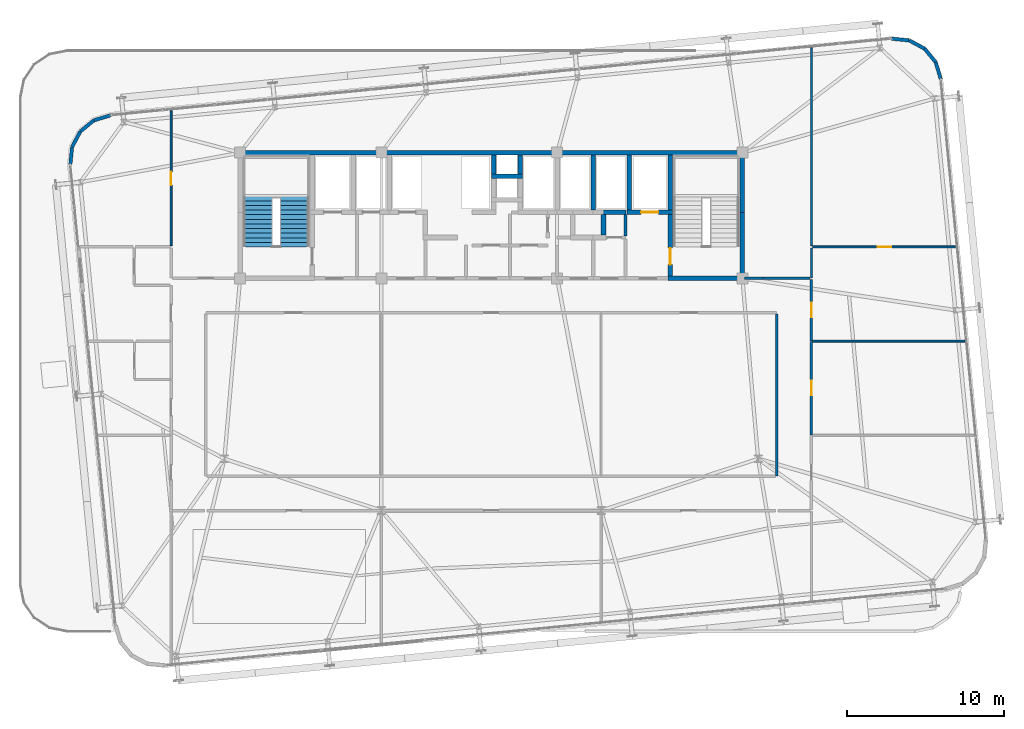
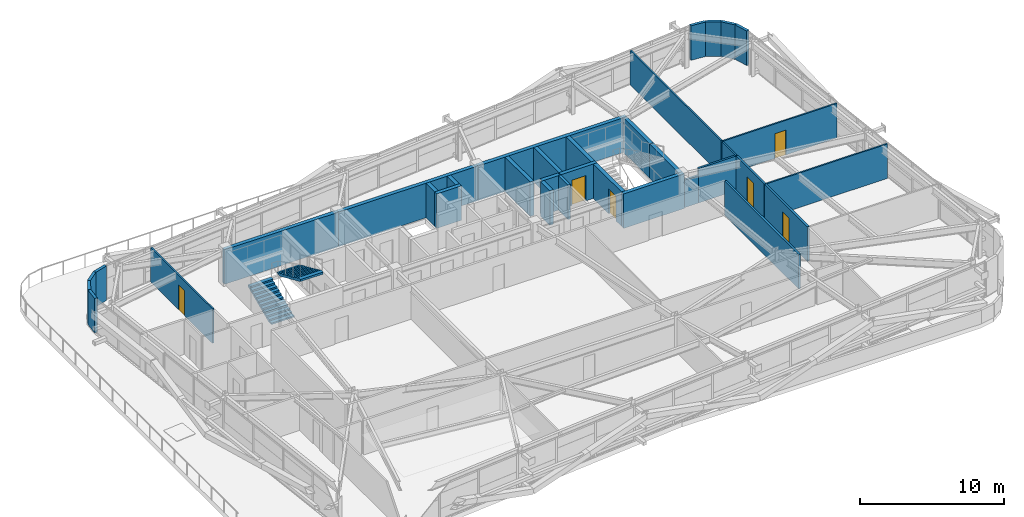
# One storey, part 47 of 51: 35 walls, 6 doors, 2 stair flights, 6 openings, 1 element without a shape of its own.
"""IFC4 building model written with IfcOpenShell, lengths in metres."""

from ifc_helpers import new_model, si_unit, direction, frame, frame_2d, origin, place, context, subcontext, project, spatial, polyline, rectangle, outline, extrude, source, transform, mapped, material, layer, layer_set, type_object, element, fill, aggregate, save


model = new_model("IFC4")

# Units and contexts
model_context = context("Model", 3, precision=1e-05, world=origin(), true_north=direction((0.0, 1.0)))
body_context = subcontext(model_context, "Body", "Model", "MODEL_VIEW")
ifc_project = project(units=[si_unit("LENGTHUNIT", "METRE"), si_unit("AREAUNIT", "SQUARE_METRE"), si_unit("VOLUMEUNIT", "CUBIC_METRE"), si_unit("PLANEANGLEUNIT", "RADIAN"), si_unit("MASSUNIT", "GRAM", prefix="KILO")], contexts=[model_context])

# Site, building, storey
site_placement = place(None, origin())
site = spatial("IfcSite", under=ifc_project, at=site_placement, CompositionType="ELEMENT")
building_placement = place(site_placement, origin())
building = spatial("IfcBuilding", under=site, at=building_placement, Name="Taldren Reach Tower", CompositionType="ELEMENT")
storey_placement = place(building_placement, frame((0.0, 0.0, 65.10009765625)))
storey = spatial("IfcBuildingStorey", under=building, at=storey_placement, Name="L19", CompositionType="ELEMENT", Elevation=65.10009765625)

# Walls
ifc_material_1 = material(Name="Pale Champagne Anodised Aluminium Cladding", Category="aluminium")
ifc_layer_1 = layer(ifc_material_1, 0.04, Name="Pale Champagne Anodised Aluminium Cladding", Category="aluminium")
ifc_material_2 = material(Name="Mineral Wool Acoustic Insulation", Category="insulation")
ifc_layer_2 = layer(ifc_material_2, 0.06, Name="Mineral Wool Acoustic Insulation", Category="insulation")
ifc_material_3 = material(Name="Steel Gr 350 (C350L0)", Category="steel")
ifc_layer_3 = layer(ifc_material_3, 0.12, Name="Steel Gr 350 (C350L0)", Category="steel")
ifc_layer_set_1 = layer_set([ifc_layer_1, ifc_layer_2, ifc_layer_3], Name="Pale Champagne Aluminium Cladding and Steel Gr 350 Stud Framing")
wall_type_1 = type_object("IfcWallType", Name="EW-CRN-220", PredefinedType="SOLIDWALL", material=ifc_layer_set_1)
shared_shape_1 = source(origin(), body_context, "Body", "SweptSolid", [
    extrude(rectangle(XDim=1.115966796875, YDim=0.219970703125, at=frame_2d((0.55810546875, 0.0))), origin(), (0.0, 0.0, 1.0), 2.929931640625),
])
for number, where, z_axis, x_axis, name in (
    (1, (63.6376953125, 36.6982421875, 0.0), (0.0, 0.0, 1.0), (-0.289855603468, 0.957070388811, 0.0), "Rounded-corner pale-metal facade wall L19-NE1"),
    (2, (62.606689453125, 38.629150390625, 0.0), (0.0, 0.0, 1.0), (-0.881655534635, 0.471893545461, 0.0), "Rounded-corner pale-metal facade wall L19-NE3"),
    (3, (61.622802734375, 39.15576171875, 0.0), (0.0, 0.0, 1.0), (-0.995142755671, 0.09844234778, 0.0), "Rounded-corner pale-metal facade wall L19-NE4"),
    (4, (10.7509765625, 34.386474609375, 0.0), (0.0, 0.0, 1.0), (-0.957070388811, -0.289855603468, 0.0), "Rounded-corner pale-metal facade wall L19-NW1"),
):
    element("IfcWall", number, at=place(storey_placement, frame(where, z_axis=z_axis, x_axis=x_axis)), inside=storey, type_object=wall_type_1, Name=name, PredefinedType="SOLIDWALL", context=body_context, shape_type="MappedRepresentation", body=[
        mapped(shared_shape_1, transform((0.0, 0.0, 0.0), scale=1.0)),
    ])
shared_shape_2 = source(origin(), body_context, "Body", "SweptSolid", [
    extrude(rectangle(XDim=1.11572265625, YDim=0.219970703125, at=frame_2d((0.557861328125, 0.0))), origin(), (0.0, 0.0, 1.0), 2.929931640625),
])
for number, where, z_axis, x_axis, name in (
    (5, (63.314208984375, 37.766357421875, 0.0), (0.0, 0.0, 1.0), (-0.634095287989, 0.773254916409, 0.0), "Rounded-corner pale-metal facade wall L19-NE2"),
    (6, (9.682861328125, 34.06298828125, 0.0), (0.0, 0.0, 1.0), (-0.773254916409, -0.634095287989, 0.0), "Rounded-corner pale-metal facade wall L19-NW2"),
    (7, (8.29345703125, 32.371337890625, 0.0), (0.0, 0.0, 1.0), (-0.098463783145, -0.99514063499, 0.0), "Rounded-corner pale-metal facade wall L19-NW4"),
):
    element("IfcWall", number, at=place(storey_placement, frame(where, z_axis=z_axis, x_axis=x_axis)), inside=storey, type_object=wall_type_1, Name=name, PredefinedType="SOLIDWALL", context=body_context, shape_type="MappedRepresentation", body=[
        mapped(shared_shape_2, transform((0.0, 0.0, 0.0), scale=1.0)),
    ])
shared_shape_3 = source(origin(), body_context, "Body", "SweptSolid", [
    extrude(rectangle(XDim=1.1162109375, YDim=0.219970703125, at=frame_2d((0.55810546875, 0.0))), origin(), (0.0, 0.0, 1.0), 2.929931640625),
])
wall_1_placement = place(storey_placement, frame((8.820068359375, 33.35546875, 0.0), z_axis=(0.0, 0.0, 1.0), x_axis=(-0.471802540493, -0.881704237704, 0.0)))
element("IfcWall", 8, at=wall_1_placement, inside=storey, type_object=wall_type_1, Name="Rounded-corner pale-metal facade wall L19-NW3", PredefinedType="SOLIDWALL", context=body_context, shape_type="MappedRepresentation", body=[
    mapped(shared_shape_3, transform((0.0, 0.0, 0.0), scale=1.0)),
])
ifc_material_4 = material(Name="Fire-Rated Acoustic Plasterboard Stud Wall", Category="gypsum")
ifc_layer_4 = layer(ifc_material_4, 0.159912109375)
ifc_layer_set_2 = layer_set([ifc_layer_4], Name="Fire-Rated Acoustic Plasterboard Stud Wall")
wall_type_2 = type_object("IfcWallType", Name="IW-FIRE-160", PredefinedType="PARTITIONING", material=ifc_layer_set_2)
shared_shape_4 = source(origin(), body_context, "Body", "SweptSolid", [
    extrude(rectangle(XDim=10.2998046875, YDim=0.159912109375, at=frame_2d((5.14990234375, 0.0))), origin(), (0.0, 0.0, 1.0), 2.929931640625),
])
wall_2_placement = place(storey_placement, frame((53.199951171875, 11.420166015625, 0.0), z_axis=(0.0, 0.0, 1.0), x_axis=(0.0, 1.0, 0.0)))
element("IfcWall", 9, at=wall_2_placement, inside=storey, type_object=wall_type_2, Name="Interior Partition Wall W-INT-L19-064", PredefinedType="PARTITIONING", context=body_context, shape_type="MappedRepresentation", body=[
    mapped(shared_shape_4, transform((0.0, 0.0, 0.0), scale=1.0)),
])

# Wall, opening, door
shared_shape_5 = source(origin(), body_context, "Body", "SweptSolid", [
    extrude(rectangle(XDim=5.95947265625, YDim=0.159912109375, at=frame_2d((2.979736328125, 0.0))), origin(), (0.0, 0.0, 1.0), 2.929931640625),
])
wall_3_placement = place(storey_placement, frame((55.39990234375, 19.979736328125, 0.0), z_axis=(0.0, 0.0, 1.0), x_axis=(0.0, -1.0, 0.0)))
wall_3 = element("IfcWall", 10, at=wall_3_placement, inside=storey, type_object=wall_type_2, Name="Interior Partition Wall W-INT-L19-072", PredefinedType="PARTITIONING", context=body_context, shape_type="MappedRepresentation", body=[
    mapped(shared_shape_5, transform((0.0, 0.0, 0.0), scale=1.0)),
])
shared_shape_6 = source(origin(), body_context, "Body", "SweptSolid", [
    extrude(rectangle(XDim=0.919921875, YDim=2.10009765625, at=frame_2d((0.4599609375, 1.050048828125))), frame((0.0, 0.08984375, 0.0), z_axis=(0.0, -1.0, 0.0), x_axis=(1.0, 0.0, 0.0)), (0.0, 0.0, 1.0), 0.179931640625),
])
opening_1_placement = place(wall_3_placement, frame((2.519775390625, 0.0, 0.0)))
opening_1 = element("IfcOpeningElement", 11, at=opening_1_placement, cuts=wall_3, Name="Opening DI-092", PredefinedType="OPENING", context=body_context, shape_type="MappedRepresentation", body=[
    mapped(shared_shape_6, transform((0.0, 0.0, 0.0), scale=1.0)),
])
ifc_material_5 = material(Name="Solid-Core Timber Suite Door", Category="wood")
door_type_1 = type_object("IfcDoorType", Name="ID-INT-092", OperationType="NOTDEFINED", PredefinedType="DOOR", material=ifc_material_5)
shared_shape_7 = source(origin(), body_context, "Body", "SweptSolid", [
    extrude(rectangle(XDim=0.919921875, YDim=2.10009765625, at=frame_2d((0.4599609375, 1.050048828125))), frame((0.0, 0.02490234375, 0.0), z_axis=(0.0, -1.0, 0.0), x_axis=(1.0, 0.0, 0.0)), (0.0, 0.0, 1.0), 0.050048828125),
])
door_1_placement = place(opening_1_placement, origin())
door_1 = element("IfcDoor", 12, at=door_1_placement, inside=storey, type_object=door_type_1, Name="Interior Door DR-L19-021", OperationType="SINGLE_SWING_RIGHT", OverallHeight=2.10009765625, OverallWidth=0.919921875, PredefinedType="DOOR", context=body_context, shape_type="MappedRepresentation", body=[
    mapped(shared_shape_7, transform((0.0, 0.0, 0.0), scale=1.0)),
])
fill(opening_1, door_1)

# Walls
ifc_material_6 = material(Name="Concrete S65 (65 MPa)", Category="concrete")
ifc_layer_5 = layer(ifc_material_6, 0.300048828125)
ifc_layer_set_3 = layer_set([ifc_layer_5], Name="Concrete S65 (65 MPa)")
wall_type_3 = type_object("IfcWallType", Name="IW-CORE-300", PredefinedType="SHEAR", material=ifc_layer_set_3)
shared_shape_8 = source(origin(), body_context, "Body", "SweptSolid", [
    extrude(rectangle(XDim=9.14990234375, YDim=0.300048828125, at=frame_2d((4.574951171875, 0.0))), origin(), (0.0, 0.0, 1.0), 2.929931640625),
])
wall_4_placement = place(storey_placement, frame((18.85009765625, 32.0, 0.0), z_axis=(0.0, 0.0, 1.0), x_axis=(1.0, 0.0, 0.0)))
element("IfcWall", 13, at=wall_4_placement, inside=storey, type_object=wall_type_3, Name="Rear Core Shear Wall W-CORE-L19-NORTH1", PredefinedType="SHEAR", context=body_context, shape_type="MappedRepresentation", body=[
    mapped(shared_shape_8, transform((0.0, 0.0, 0.0), scale=1.0)),
])
shared_shape_9 = source(origin(), body_context, "Body", "SweptSolid", [
    extrude(rectangle(XDim=11.199951171875, YDim=0.300048828125, at=frame_2d((5.60009765625, 0.0))), origin(), (0.0, 0.0, 1.0), 2.929931640625),
])
wall_5_placement = place(storey_placement, frame((28.0, 32.0, 0.0), z_axis=(0.0, 0.0, 1.0), x_axis=(1.0, 0.0, 0.0)))
element("IfcWall", 14, at=wall_5_placement, inside=storey, type_object=wall_type_3, Name="Rear Core Shear Wall W-CORE-L19-NORTH2", PredefinedType="SHEAR", context=body_context, shape_type="MappedRepresentation", body=[
    mapped(shared_shape_9, transform((0.0, 0.0, 0.0), scale=1.0)),
])
shared_shape_10 = source(origin(), body_context, "Body", "SweptSolid", [
    extrude(rectangle(XDim=11.949951171875, YDim=0.300048828125, at=frame_2d((5.97509765625, 0.0))), origin(), (0.0, 0.0, 1.0), 2.929931640625),
])
wall_6_placement = place(storey_placement, frame((39.199951171875, 32.0, 0.0), z_axis=(0.0, 0.0, 1.0), x_axis=(1.0, 0.0, 0.0)))
element("IfcWall", 15, at=wall_6_placement, inside=storey, type_object=wall_type_3, Name="Rear Core Shear Wall W-CORE-L19-NORTH3", PredefinedType="SHEAR", context=body_context, shape_type="MappedRepresentation", body=[
    mapped(shared_shape_10, transform((0.0, 0.0, 0.0), scale=1.0)),
])
shared_shape_11 = source(origin(), body_context, "Body", "SweptSolid", [
    extrude(rectangle(XDim=4.050048828125, YDim=0.300048828125, at=frame_2d((2.02490234375, 0.0))), origin(), (0.0, 0.0, 1.0), 2.929931640625),
])
wall_7_placement = place(storey_placement, frame((51.0, 24.14990234375, 0.0), z_axis=(0.0, 0.0, 1.0), x_axis=(0.0, 1.0, 0.0)))
element("IfcWall", 16, at=wall_7_placement, inside=storey, type_object=wall_type_3, Name="Rear Core Shear Wall W-CORE-L19-EAST1", PredefinedType="SHEAR", context=body_context, shape_type="MappedRepresentation", body=[
    mapped(shared_shape_11, transform((0.0, 0.0, 0.0), scale=1.0)),
])
shared_shape_12 = source(origin(), body_context, "Body", "SweptSolid", [
    extrude(rectangle(XDim=3.650146484375, YDim=0.300048828125, at=frame_2d((1.8251953125, 0.0))), origin(), (0.0, 0.0, 1.0), 2.929931640625),
])
wall_8_placement = place(storey_placement, frame((51.0, 28.199951171875, 0.0), z_axis=(0.0, 0.0, 1.0), x_axis=(0.0, 1.0, 0.0)))
element("IfcWall", 17, at=wall_8_placement, inside=storey, type_object=wall_type_3, Name="Rear Core Shear Wall W-CORE-L19-EAST2", PredefinedType="SHEAR", context=body_context, shape_type="MappedRepresentation", body=[
    mapped(shared_shape_12, transform((0.0, 0.0, 0.0), scale=1.0)),
])
shared_shape_13 = source(origin(), body_context, "Body", "SweptSolid", [
    extrude(rectangle(XDim=3.5, YDim=0.300048828125, at=frame_2d((1.75, 0.0))), origin(), (0.0, 0.0, 1.0), 2.929931640625),
])
for number, where, z_axis, x_axis, name in (
    (18, (46.39990234375, 31.85009765625, 0.0), (0.0, 0.0, 1.0), (0.0, -1.0, 0.0), "Rear Core Shear Wall W-INT-L19-008"),
    (19, (43.800048828125, 31.85009765625, 0.0), (0.0, 0.0, 1.0), (0.0, -1.0, 0.0), "Rear Core Shear Wall W-INT-L19-012"),
    (20, (41.5, 28.35009765625, 0.0), (0.0, 0.0, 1.0), (0.0, 1.0, 0.0), "Rear Core Shear Wall W-INT-L19-041"),
):
    element("IfcWall", number, at=place(storey_placement, frame(where, z_axis=z_axis, x_axis=x_axis)), inside=storey, type_object=wall_type_3, Name=name, PredefinedType="SHEAR", context=body_context, shape_type="MappedRepresentation", body=[
        mapped(shared_shape_13, transform((0.0, 0.0, 0.0), scale=1.0)),
    ])

# Wall, opening, door
shared_shape_14 = source(origin(), body_context, "Body", "SweptSolid", [
    extrude(rectangle(XDim=3.900146484375, YDim=0.300048828125, at=frame_2d((1.9501953125, 0.0))), origin(), (0.0, 0.0, 1.0), 2.929931640625),
])
wall_9_placement = place(storey_placement, frame((46.39990234375, 28.050048828125, 0.0), z_axis=(0.0, 0.0, 1.0), x_axis=(0.0, -1.0, 0.0)))
wall_9 = element("IfcWall", 21, at=wall_9_placement, inside=storey, type_object=wall_type_3, Name="Rear Core Shear Wall W-INT-L19-009", PredefinedType="SHEAR", context=body_context, shape_type="MappedRepresentation", body=[
    mapped(shared_shape_14, transform((0.0, 0.0, 0.0), scale=1.0)),
])
shared_shape_15 = source(origin(), body_context, "Body", "SweptSolid", [
    extrude(rectangle(XDim=1.050048828125, YDim=2.10009765625, at=frame_2d((0.52490234375, 1.050048828125))), frame((0.0, 0.16015625, 0.0), z_axis=(0.0, -1.0, 0.0), x_axis=(1.0, 0.0, 0.0)), (0.0, 0.0, 1.0), 0.320068359375),
])
opening_2_placement = place(wall_9_placement, frame((2.125, 0.0, 0.0)))
opening_2 = element("IfcOpeningElement", 22, at=opening_2_placement, cuts=wall_9, Name="Opening DF-105", PredefinedType="OPENING", context=body_context, shape_type="MappedRepresentation", body=[
    mapped(shared_shape_15, transform((0.0, 0.0, 0.0), scale=1.0)),
])
ifc_material_7 = material(Name="Fire-Rated Care and Stair Exit Door")
door_type_2 = type_object("IfcDoorType", Name="ID-FIRE-105", OperationType="NOTDEFINED", PredefinedType="DOOR", material=ifc_material_7)
shared_shape_16 = source(origin(), body_context, "Body", "SweptSolid", [
    extrude(rectangle(XDim=1.050048828125, YDim=2.10009765625, at=frame_2d((0.52490234375, 1.050048828125))), frame((0.0, 0.02490234375, 0.0), z_axis=(0.0, -1.0, 0.0), x_axis=(1.0, 0.0, 0.0)), (0.0, 0.0, 1.0), 0.050048828125),
])
door_2_placement = place(opening_2_placement, origin())
door_2 = element("IfcDoor", 23, at=door_2_placement, inside=storey, type_object=door_type_2, Name="Fire Exit Stair Door DR-L19-003", OperationType="SINGLE_SWING_RIGHT", OverallHeight=2.10009765625, OverallWidth=1.050048828125, PredefinedType="DOOR", context=body_context, shape_type="MappedRepresentation", body=[
    mapped(shared_shape_16, transform((0.0, 0.0, 0.0), scale=1.0)),
])
fill(opening_2, door_2)

# Wall
shared_shape_17 = source(origin(), body_context, "Body", "SweptSolid", [
    extrude(rectangle(XDim=4.89990234375, YDim=0.300048828125, at=frame_2d((2.449951171875, 0.0))), origin(), (0.0, 0.0, 1.0), 2.929931640625),
])
wall_10_placement = place(storey_placement, frame((46.25, 24.0, 0.0), z_axis=(0.0, 0.0, 1.0), x_axis=(1.0, 0.0, 0.0)))
element("IfcWall", 24, at=wall_10_placement, inside=storey, type_object=wall_type_3, Name="Rear Core Shear Wall W-INT-L19-010", PredefinedType="SHEAR", context=body_context, shape_type="MappedRepresentation", body=[
    mapped(shared_shape_17, transform((0.0, 0.0, 0.0), scale=1.0)),
])

# Wall, opening, door
shared_shape_18 = source(origin(), body_context, "Body", "SweptSolid", [
    extrude(rectangle(XDim=2.900146484375, YDim=0.300048828125, at=frame_2d((1.4501953125, 0.0))), origin(), (0.0, 0.0, 1.0), 2.929931640625),
])
wall_11_placement = place(storey_placement, frame((43.64990234375, 28.199951171875, 0.0), z_axis=(0.0, 0.0, 1.0), x_axis=(1.0, 0.0, 0.0)))
wall_11 = element("IfcWall", 25, at=wall_11_placement, inside=storey, type_object=wall_type_3, Name="Rear Core Shear Wall W-INT-L19-011", PredefinedType="SHEAR", context=body_context, shape_type="MappedRepresentation", body=[
    mapped(shared_shape_18, transform((0.0, 0.0, 0.0), scale=1.0)),
])
shared_shape_19 = source(origin(), body_context, "Body", "SweptSolid", [
    extrude(rectangle(XDim=1.10009765625, YDim=2.14990234375, at=frame_2d((0.550048828125, 1.074951171875))), frame((0.0, 0.16015625, 0.0), z_axis=(0.0, -1.0, 0.0), x_axis=(1.0, 0.0, 0.0)), (0.0, 0.0, 1.0), 0.320068359375),
])
opening_3_placement = place(wall_11_placement, frame((0.89990234375, 0.0, 0.0)))
opening_3 = element("IfcOpeningElement", 26, at=opening_3_placement, cuts=wall_11, Name="Opening LD-FL2", PredefinedType="OPENING", context=body_context, shape_type="MappedRepresentation", body=[
    mapped(shared_shape_19, transform((0.0, 0.0, 0.0), scale=1.0)),
])
ifc_material_8 = material(Name="Stainless Steel Gr 316 Emergency Lift Landing Door", Category="steel")
door_type_3 = type_object("IfcDoorType", Name="LD-EMG-110", OperationType="SLIDING_TO_LEFT", PredefinedType="DOOR", material=ifc_material_8)
shared_shape_20 = source(origin(), body_context, "Body", "SweptSolid", [
    extrude(rectangle(XDim=1.10009765625, YDim=2.14990234375, at=frame_2d((0.550048828125, 1.074951171875))), frame((0.0, 0.02490234375, 0.0), z_axis=(0.0, -1.0, 0.0), x_axis=(1.0, 0.0, 0.0)), (0.0, 0.0, 1.0), 0.050048828125),
])
door_3_placement = place(opening_3_placement, origin())
door_3 = element("IfcDoor", 27, at=door_3_placement, inside=storey, type_object=door_type_3, Name="Lift Landing Door LD-FL2-L19", OperationType="SLIDING_TO_LEFT", OverallHeight=2.14990234375, OverallWidth=1.10009765625, PredefinedType="DOOR", context=body_context, shape_type="MappedRepresentation", body=[
    mapped(shared_shape_20, transform((0.0, 0.0, 0.0), scale=1.0)),
])
fill(opening_3, door_3)

# Walls
ifc_material_9 = material(Name="Concrete S50 (50 MPa)", Category="concrete")
ifc_layer_6 = layer(ifc_material_9, 0.199951171875)
ifc_layer_set_4 = layer_set([ifc_layer_6], Name="Concrete S50 (50 MPa)")
wall_type_4 = type_object("IfcWallType", Name="IW-CORE-200", PredefinedType="SOLIDWALL", material=ifc_layer_set_4)
shared_shape_21 = source(origin(), body_context, "Body", "SweptSolid", [
    extrude(rectangle(XDim=1.35009765625, YDim=0.199951171875, at=frame_2d((0.675048828125, 0.0))), origin(), (0.0, 0.0, 1.0), 2.929931640625),
])
wall_12_placement = place(storey_placement, frame((43.550048828125, 28.050048828125, 0.0), z_axis=(0.0, 0.0, 1.0), x_axis=(0.0, -1.0, 0.0)))
element("IfcWall", 28, at=wall_12_placement, inside=storey, type_object=wall_type_4, Name="Rear Core Shear Wall W-INT-L19-014", PredefinedType="SOLIDWALL", context=body_context, shape_type="MappedRepresentation", body=[
    mapped(shared_shape_21, transform((0.0, 0.0, 0.0), scale=1.0)),
])
shared_shape_22 = source(origin(), body_context, "Body", "SweptSolid", [
    extrude(rectangle(XDim=2.0, YDim=0.300048828125, at=frame_2d((1.0, 0.0))), origin(), (0.0, 0.0, 1.0), 2.929931640625),
])
wall_13_placement = place(storey_placement, frame((35.0, 30.5, 0.0), z_axis=(0.0, 0.0, 1.0), x_axis=(1.0, 0.0, 0.0)))
element("IfcWall", 29, at=wall_13_placement, inside=storey, type_object=wall_type_3, Name="Rear Core Shear Wall W-INT-L19-016", PredefinedType="SHEAR", context=body_context, shape_type="MappedRepresentation", body=[
    mapped(shared_shape_22, transform((0.0, 0.0, 0.0), scale=1.0)),
])
shared_shape_23 = source(origin(), body_context, "Body", "SweptSolid", [
    extrude(rectangle(XDim=1.2001953125, YDim=0.300048828125, at=frame_2d((0.60009765625, 0.0))), origin(), (0.0, 0.0, 1.0), 2.929931640625),
])
for number, where, z_axis, x_axis, name in (
    (30, (35.14990234375, 31.85009765625, 0.0), (0.0, 0.0, 1.0), (0.0, -1.0, 0.0), "Rear Core Shear Wall W-INT-L19-017"),
    (31, (36.85009765625, 30.64990234375, 0.0), (0.0, 0.0, 1.0), (0.0, 1.0, 0.0), "Rear Core Shear Wall W-INT-L19-018"),
):
    element("IfcWall", number, at=place(storey_placement, frame(where, z_axis=z_axis, x_axis=x_axis)), inside=storey, type_object=wall_type_3, Name=name, PredefinedType="SHEAR", context=body_context, shape_type="MappedRepresentation", body=[
        mapped(shared_shape_23, transform((0.0, 0.0, 0.0), scale=1.0)),
    ])
shared_shape_24 = source(origin(), body_context, "Body", "SweptSolid", [
    extrude(rectangle(XDim=1.300048828125, YDim=0.300048828125, at=frame_2d((0.64990234375, 0.0))), origin(), (0.0, 0.0, 1.0), 2.929931640625),
])
wall_14_placement = place(storey_placement, frame((42.14990234375, 26.75, 0.0), z_axis=(0.0, 0.0, 1.0), x_axis=(0.0, 1.0, 0.0)))
element("IfcWall", 32, at=wall_14_placement, inside=storey, type_object=wall_type_3, Name="Rear Core Shear Wall W-INT-L19-029", PredefinedType="SHEAR", context=body_context, shape_type="MappedRepresentation", body=[
    mapped(shared_shape_24, transform((0.0, 0.0, 0.0), scale=1.0)),
])
shared_shape_25 = source(origin(), body_context, "Body", "SweptSolid", [
    extrude(rectangle(XDim=1.440185546875, YDim=0.300048828125, at=frame_2d((0.72021484375, 0.0))), origin(), (0.0, 0.0, 1.0), 2.929931640625),
])
wall_15_placement = place(storey_placement, frame((42.1298828125, 28.199951171875, 0.0), z_axis=(0.0, 0.0, 1.0), x_axis=(1.0, 0.0, 0.0)))
element("IfcWall", 33, at=wall_15_placement, inside=storey, type_object=wall_type_3, Name="Rear Core Shear Wall W-INT-L19-043", PredefinedType="SHEAR", context=body_context, shape_type="MappedRepresentation", body=[
    mapped(shared_shape_25, transform((0.0, 0.0, 0.0), scale=1.0)),
])

# Wall, opening, door
shared_shape_26 = source(origin(), body_context, "Body", "SweptSolid", [
    extrude(rectangle(XDim=3.899658203125, YDim=0.159912109375, at=frame_2d((1.94970703125, 0.0))), origin(), (0.0, 0.0, 1.0), 2.929931640625),
])
wall_16_placement = place(storey_placement, frame((55.39990234375, 23.919921875, 0.0), z_axis=(0.0, 0.0, 1.0), x_axis=(0.0, -1.0, 0.0)))
wall_16 = element("IfcWall", 34, at=wall_16_placement, inside=storey, type_object=wall_type_2, Name="Interior Partition Wall W-INT-L19-073", PredefinedType="PARTITIONING", context=body_context, shape_type="MappedRepresentation", body=[
    mapped(shared_shape_26, transform((0.0, 0.0, 0.0), scale=1.0)),
])
opening_4_placement = place(wall_16_placement, frame((1.489990234375, 0.0, 0.0)))
opening_4 = element("IfcOpeningElement", 35, at=opening_4_placement, cuts=wall_16, Name="Opening DI-092", PredefinedType="OPENING", context=body_context, shape_type="MappedRepresentation", body=[
    mapped(shared_shape_6, transform((0.0, 0.0, 0.0), scale=1.0)),
])
door_4_placement = place(opening_4_placement, origin())
door_4 = element("IfcDoor", 36, at=door_4_placement, inside=storey, type_object=door_type_1, Name="Interior Door DR-L19-022", OperationType="SINGLE_SWING_LEFT", OverallHeight=2.10009765625, OverallWidth=0.919921875, PredefinedType="DOOR", context=body_context, shape_type="MappedRepresentation", body=[
    mapped(shared_shape_7, transform((0.0, 0.0, 0.0), scale=1.0)),
])
fill(opening_4, door_4)

# Walls
shared_shape_27 = source(origin(), body_context, "Body", "SweptSolid", [
    extrude(rectangle(XDim=1.154541015625, YDim=0.159912109375, at=frame_2d((0.5771484375, 0.0))), origin(), (0.0, 0.0, 1.0), 2.327880859375),
])
wall_17_placement = place(storey_placement, frame((51.14990234375, 24.0, 0.0), z_axis=(0.0, 0.0, 1.0), x_axis=(1.0, 0.0, 0.0)))
element("IfcWall", 37, at=wall_17_placement, inside=storey, type_object=wall_type_2, Name="Interior Partition Wall W-INT-L19-075", PredefinedType="PARTITIONING", context=body_context, shape_type="MappedRepresentation", body=[
    mapped(shared_shape_27, transform((0.0, 0.0, 0.0), scale=1.0)),
])
shared_shape_28 = source(origin(), body_context, "Body", "SweptSolid", [
    extrude(rectangle(XDim=3.015625, YDim=0.159912109375, at=frame_2d((1.5078125, 0.0))), origin(), (0.0, 0.0, 1.0), 2.929931640625),
])
wall_18_placement = place(storey_placement, frame((52.304443359375, 24.0, 0.0), z_axis=(0.0, 0.0, 1.0), x_axis=(1.0, 0.0, 0.0)))
element("IfcWall", 38, at=wall_18_placement, inside=storey, type_object=wall_type_2, Name="Interior Partition Wall W-INT-L19-075 part 2", PredefinedType="PARTITIONING", context=body_context, shape_type="MappedRepresentation", body=[
    mapped(shared_shape_28, transform((0.0, 0.0, 0.0), scale=1.0)),
])

# Wall, opening, door
ifc_material_10 = material(Name="Insulated Residential Stud Partition", Category="gypsum")
ifc_layer_7 = layer(ifc_material_10, 0.1201171875)
ifc_layer_set_5 = layer_set([ifc_layer_7], Name="Insulated Residential Stud Partition")
wall_type_5 = type_object("IfcWallType", Name="IW-PART-120", PredefinedType="PARTITIONING", material=ifc_layer_set_5)
shared_shape_29 = source(origin(), body_context, "Body", "SweptSolid", [
    extrude(rectangle(XDim=8.58544921875, YDim=0.1201171875, at=frame_2d((4.292724609375, 0.0))), origin(), (0.0, 0.0, 1.0), 2.929931640625),
])
wall_19_placement = place(storey_placement, frame((14.60009765625, 34.66552734375, 0.0), z_axis=(0.0, 0.0, 1.0), x_axis=(0.0, -1.0, 0.0)))
wall_19 = element("IfcWall", 39, at=wall_19_placement, inside=storey, type_object=wall_type_5, Name="Interior Partition Wall W-INT-L19-098", PredefinedType="PARTITIONING", context=body_context, shape_type="MappedRepresentation", body=[
    mapped(shared_shape_29, transform((0.0, 0.0, 0.0), scale=1.0)),
])
shared_shape_30 = source(origin(), body_context, "Body", "SweptSolid", [
    extrude(rectangle(XDim=0.860107421875, YDim=2.10009765625, at=frame_2d((0.43017578125, 1.050048828125))), frame((0.0, 0.070068359375, 0.0), z_axis=(0.0, -1.0, 0.0), x_axis=(1.0, 0.0, 0.0)), (0.0, 0.0, 1.0), 0.14013671875),
])
opening_5_placement = place(wall_19_placement, frame((3.86279296875, 0.0, 0.0)))
opening_5 = element("IfcOpeningElement", 40, at=opening_5_placement, cuts=wall_19, Name="Opening DI-086", PredefinedType="OPENING", context=body_context, shape_type="MappedRepresentation", body=[
    mapped(shared_shape_30, transform((0.0, 0.0, 0.0), scale=1.0)),
])
ifc_material_11 = material(Name="Timber Bathroom Door", Category="wood")
door_type_4 = type_object("IfcDoorType", Name="ID-INT-086", OperationType="NOTDEFINED", PredefinedType="DOOR", material=ifc_material_11)
shared_shape_31 = source(origin(), body_context, "Body", "SweptSolid", [
    extrude(rectangle(XDim=0.860107421875, YDim=2.10009765625, at=frame_2d((0.43017578125, 1.050048828125))), frame((0.0, 0.02490234375, 0.0), z_axis=(0.0, -1.0, 0.0), x_axis=(1.0, 0.0, 0.0)), (0.0, 0.0, 1.0), 0.050048828125),
])
door_5_placement = place(opening_5_placement, frame((0.860107421875, 0.0, 0.0), z_axis=(0.0, 0.0, 1.0), x_axis=(-1.0, 0.0, 0.0)))
door_5 = element("IfcDoor", 41, at=door_5_placement, inside=storey, type_object=door_type_4, Name="Interior Door DR-L19-030", OperationType="SINGLE_SWING_RIGHT", OverallHeight=2.10009765625, OverallWidth=0.860107421875, PredefinedType="DOOR", context=body_context, shape_type="MappedRepresentation", body=[
    mapped(shared_shape_31, transform((0.0, 0.0, 0.0), scale=1.0)),
])
fill(opening_5, door_5)

# Wall
shared_shape_32 = source(origin(), body_context, "Body", "SweptSolid", [
    extrude(rectangle(XDim=9.71240234375, YDim=0.1201171875, at=frame_2d((4.856201171875, 0.0))), origin(), (0.0, 0.0, 1.0), 2.929931640625),
])
wall_20_placement = place(storey_placement, frame((55.47998046875, 20.0, 0.0), z_axis=(0.0, 0.0, 1.0), x_axis=(1.0, 0.0, 0.0)))
element("IfcWall", 42, at=wall_20_placement, inside=storey, type_object=wall_type_5, Name="Interior Partition Wall W-INT-L19-100", PredefinedType="PARTITIONING", context=body_context, shape_type="MappedRepresentation", body=[
    mapped(shared_shape_32, transform((0.0, 0.0, 0.0), scale=1.0)),
])

# Wall, opening, door
shared_shape_33 = source(origin(), body_context, "Body", "SweptSolid", [
    extrude(rectangle(XDim=9.1240234375, YDim=0.1201171875, at=frame_2d((4.56201171875, 0.0))), origin(), (0.0, 0.0, 1.0), 2.929931640625),
])
wall_21_placement = place(storey_placement, frame((55.47998046875, 26.0, 0.0), z_axis=(0.0, 0.0, 1.0), x_axis=(1.0, 0.0, 0.0)))
wall_21 = element("IfcWall", 43, at=wall_21_placement, inside=storey, type_object=wall_type_5, Name="Interior Partition Wall W-INT-L19-101", PredefinedType="PARTITIONING", context=body_context, shape_type="MappedRepresentation", body=[
    mapped(shared_shape_33, transform((0.0, 0.0, 0.0), scale=1.0)),
])
opening_6_placement = place(wall_21_placement, frame((4.132080078125, 0.0, 0.0)))
opening_6 = element("IfcOpeningElement", 44, at=opening_6_placement, cuts=wall_21, Name="Opening DI-086", PredefinedType="OPENING", context=body_context, shape_type="MappedRepresentation", body=[
    mapped(shared_shape_30, transform((0.0, 0.0, 0.0), scale=1.0)),
])
door_6_placement = place(opening_6_placement, frame((0.860107421875, 0.0, 0.0), z_axis=(0.0, 0.0, 1.0), x_axis=(-1.0, 0.0, 0.0)))
door_6 = element("IfcDoor", 45, at=door_6_placement, inside=storey, type_object=door_type_4, Name="Interior Door DR-L19-031", OperationType="SINGLE_SWING_LEFT", OverallHeight=2.10009765625, OverallWidth=0.860107421875, PredefinedType="DOOR", context=body_context, shape_type="MappedRepresentation", body=[
    mapped(shared_shape_31, transform((0.0, 0.0, 0.0), scale=1.0)),
])
fill(opening_6, door_6)

# Walls
shared_shape_34 = source(origin(), body_context, "Body", "SweptSolid", [
    extrude(rectangle(XDim=1.899658203125, YDim=0.1201171875, at=frame_2d((0.94970703125, 0.0))), origin(), (0.0, 0.0, 1.0), 2.929931640625),
])
wall_22_placement = place(storey_placement, frame((55.39990234375, 24.020263671875, 0.0), z_axis=(0.0, 0.0, 1.0), x_axis=(0.0, 1.0, 0.0)))
element("IfcWall", 46, at=wall_22_placement, inside=storey, type_object=wall_type_5, Name="Interior Partition Wall W-INT-L19-102", PredefinedType="PARTITIONING", context=body_context, shape_type="MappedRepresentation", body=[
    mapped(shared_shape_34, transform((0.0, 0.0, 0.0), scale=1.0)),
])
shared_shape_35 = source(origin(), body_context, "Body", "SweptSolid", [
    extrude(rectangle(XDim=12.6015625, YDim=0.1201171875, at=frame_2d((6.30078125, 0.0))), origin(), (0.0, 0.0, 1.0), 2.929931640625),
])
wall_23_placement = place(storey_placement, frame((55.39990234375, 26.080078125, 0.0), z_axis=(0.0, 0.0, 1.0), x_axis=(0.0, 1.0, 0.0)))
element("IfcWall", 47, at=wall_23_placement, inside=storey, type_object=wall_type_5, Name="Interior Partition Wall W-INT-L19-103", PredefinedType="PARTITIONING", context=body_context, shape_type="MappedRepresentation", body=[
    mapped(shared_shape_35, transform((0.0, 0.0, 0.0), scale=1.0)),
])

# Stair, stair flights
stair_type = type_object("IfcStairType", Name="ST-HT-315", PredefinedType="HALF_TURN_STAIR", material=ifc_material_9)
stair_placement = place(storey_placement, origin())
stair = element("IfcStair", 48, at=stair_placement, inside=storey, type_object=stair_type, Name="Fire-isolated exit stair ST1 L19", PredefinedType="HALF_TURN_STAIR")
stair_flight_type = type_object("IfcStairFlightType", Name="SF-STR-315", PredefinedType="STRAIGHT", material=ifc_material_9)
stair_flight_1_placement = place(storey_placement, frame((20.139892578125, 25.989990234375, 0.0), z_axis=(0.0, 0.0, 1.0), x_axis=(0.0, 1.0, 0.0)))
stair_flight_1 = element("IfcStairFlight", 49, at=stair_flight_1_placement, type_object=stair_flight_type, Name="ST1 flight 1", NumberOfRisers=12, NumberOfTreads=11, PredefinedType="STRAIGHT", RiserHeight=0.13125, TreadLength=0.295, context=body_context, shape_type="SweptSolid", body=[
    extrude(outline(polyline([(0.0, 0.0), (0.0, 0.13134765625), (0.294921875, 0.13134765625), (0.294921875, 0.262451171875), (0.590087890625, 0.262451171875), (0.590087890625, 0.393798828125), (0.885009765625, 0.393798828125), (0.885009765625, 0.52490234375), (1.179931640625, 0.52490234375), (1.179931640625, 0.65625), (1.47509765625, 0.65625), (1.47509765625, 0.78759765625), (1.77001953125, 0.78759765625), (1.77001953125, 0.918701171875), (2.06494140625, 0.918701171875), (2.06494140625, 1.050048828125), (2.360107421875, 1.050048828125), (2.360107421875, 1.18115234375), (2.655029296875, 1.18115234375), (2.655029296875, 1.3125), (2.949951171875, 1.3125), (2.949951171875, 1.44384765625), (3.2451171875, 1.44384765625), (3.2451171875, 1.574951171875), (3.2451171875, 1.268798828125), (0.393310546875, 0.0), (0.0, 0.0)])), frame((0.0, 0.919921875, 0.0), z_axis=(0.0, -1.0, 0.0), x_axis=(1.0, 0.0, 0.0)), (0.0, 0.0, 1.0), 1.840087890625),
])
stair_flight_2_placement = place(storey_placement, frame((22.4599609375, 29.235107421875, 1.574951171875), z_axis=(0.0, 0.0, 1.0), x_axis=(0.0, -1.0, 0.0)))
stair_flight_2 = element("IfcStairFlight", 50, at=stair_flight_2_placement, type_object=stair_flight_type, Name="ST1 flight 2", NumberOfRisers=12, NumberOfTreads=11, PredefinedType="STRAIGHT", RiserHeight=0.13125, TreadLength=0.295, context=body_context, shape_type="SweptSolid", body=[
    extrude(outline(polyline([(0.0, 0.0), (0.0, 0.13134765625), (0.294921875, 0.13134765625), (0.294921875, 0.262451171875), (0.590087890625, 0.262451171875), (0.590087890625, 0.393798828125), (0.885009765625, 0.393798828125), (0.885009765625, 0.52490234375), (1.179931640625, 0.52490234375), (1.179931640625, 0.65625), (1.47509765625, 0.65625), (1.47509765625, 0.78759765625), (1.77001953125, 0.78759765625), (1.77001953125, 0.918701171875), (2.06494140625, 0.918701171875), (2.06494140625, 1.050048828125), (2.360107421875, 1.050048828125), (2.360107421875, 1.18115234375), (2.655029296875, 1.18115234375), (2.655029296875, 1.3125), (2.949951171875, 1.3125), (2.949951171875, 1.44384765625), (3.2451171875, 1.44384765625), (3.2451171875, 1.574951171875), (3.2451171875, 1.268798828125), (0.393310546875, 0.0), (0.0, 0.0)])), frame((0.0, 0.919921875, 0.0), z_axis=(0.0, -1.0, 0.0), x_axis=(1.0, 0.0, 0.0)), (0.0, 0.0, 1.0), 1.840087890625),
])
aggregate(stair, [stair_flight_1, stair_flight_2])

save(model, "model.ifc")
